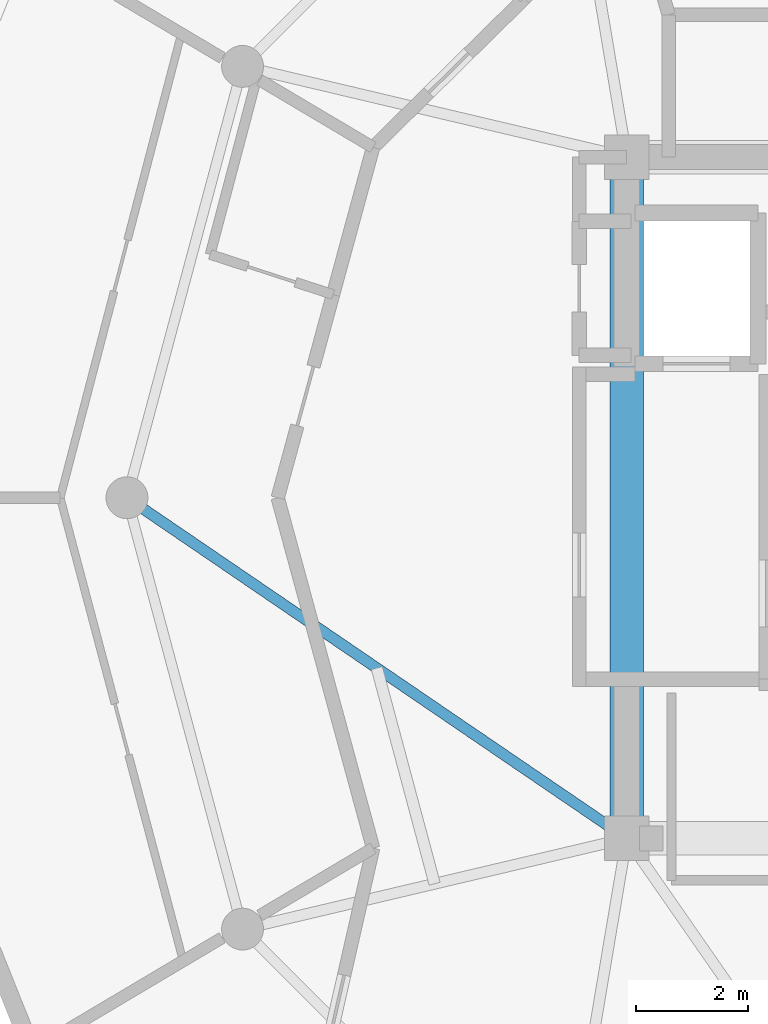
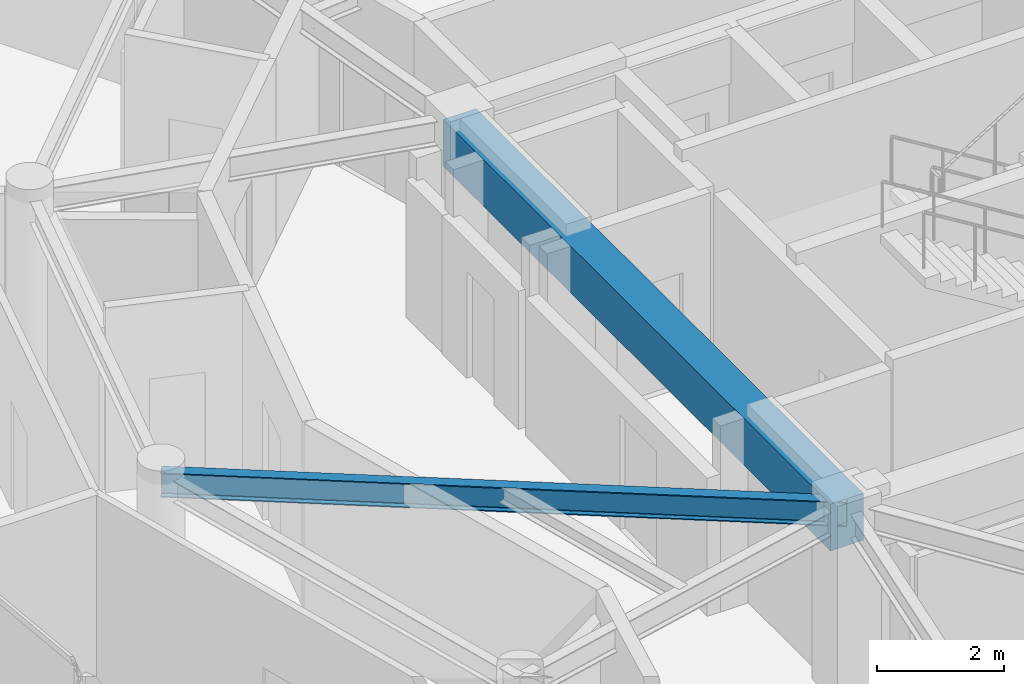
# One storey, part 9 of 22: 2 beams.
"""IFC4 building model written with IfcOpenShell, lengths in metres."""

from ifc_helpers import new_model, si_unit, direction, frame, origin, origin_2d, place, context, subcontext, project, spatial, rectangle, i_section, extrude, material, material_profile, profile_set, type_object, element, save


model = new_model("IFC4")

# Units and contexts
model_context = context("Model", 3, precision=1e-05, world=origin(), true_north=direction((0.0, 1.0)))
body_context = subcontext(model_context, "Body", "Model", "MODEL_VIEW")
ifc_project = project(units=[si_unit("LENGTHUNIT", "METRE"), si_unit("AREAUNIT", "SQUARE_METRE"), si_unit("VOLUMEUNIT", "CUBIC_METRE"), si_unit("PLANEANGLEUNIT", "RADIAN"), si_unit("MASSUNIT", "GRAM", prefix="KILO")], contexts=[model_context])

# Site, building, storey
site_placement = place(None, origin())
site = spatial("IfcSite", under=ifc_project, at=site_placement, CompositionType="ELEMENT")
building_placement = place(site_placement, origin())
building = spatial("IfcBuilding", under=site, at=building_placement, Name="Solvirekh Grand Hotel", CompositionType="ELEMENT")
storey_placement = place(building_placement, frame((0.0, 0.0, 243.0)))
storey = spatial("IfcBuildingStorey", under=building, at=storey_placement, Name="L63", CompositionType="ELEMENT", Elevation=243.0)

# Beams
ifc_material_1 = material(Name="Concrete C50/60", Category="concrete")
ifc_material_profile_1 = material_profile(ifc_material_1, rectangle(XDim=0.60009765625, YDim=0.89990234375, at=origin_2d()), Name="RC BEAM 600X900")
ifc_profile_set_1 = profile_set([ifc_material_profile_1], Name="Concrete C50/60")
beam_type_1 = type_object("IfcBeamType", Name="Beam_Core_RC900", PredefinedType="BEAM", material=ifc_profile_set_1)
beam_1_placement = place(storey_placement, frame((-6.5, 6.10009765625, 3.1201171875), z_axis=(0.0, -1.0, 0.0), x_axis=(1.0, 0.0, 0.0)))
element("IfcBeam", 1, at=beam_1_placement, inside=storey, type_object=beam_type_1, Name="L63 core coupling ring beam 4", PredefinedType="BEAM", context=body_context, shape_type="SweptSolid", body=[
    extrude(rectangle(XDim=0.60009765625, YDim=0.89990234375, at=origin_2d()), origin(), (0.0, 0.0, 1.0), 12.2001953125),
])
ifc_material_2 = material(Name="Steel S355", Category="steel")
ifc_material_profile_2 = material_profile(ifc_material_2, i_section(OverallWidth=0.194091796875, OverallDepth=0.468994140625, WebThickness=0.010986328125, FlangeThickness=0.01904296875, FilletRadius=0.012939453125, at=origin_2d()), Name="W460X106")
ifc_profile_set_2 = profile_set([ifc_material_profile_2], Name="Steel S355")
beam_type_2 = type_object("IfcBeamType", Name="Beam_Radial_W460H", PredefinedType="BEAM", material=ifc_profile_set_2)
beam_2_placement = place(storey_placement, frame((-6.5, -6.10009765625, 3.3349609375), z_axis=(-0.826319370306, 0.563201827285, 0.0), x_axis=(-0.563201827285, -0.826319370306, 0.0)))
element("IfcBeam", 2, at=beam_2_placement, inside=storey, type_object=beam_type_2, Name="L63 radial floor beam R07", PredefinedType="BEAM", context=body_context, shape_type="SweptSolid", body=[
    extrude(i_section(OverallWidth=0.194091796875, OverallDepth=0.468994140625, WebThickness=0.010986328125, FlangeThickness=0.01904296875, FilletRadius=0.012939453125, at=origin_2d()), origin(), (0.0, 0.0, 1.0), 10.8310546875),
])

save(model, "model.ifc")
